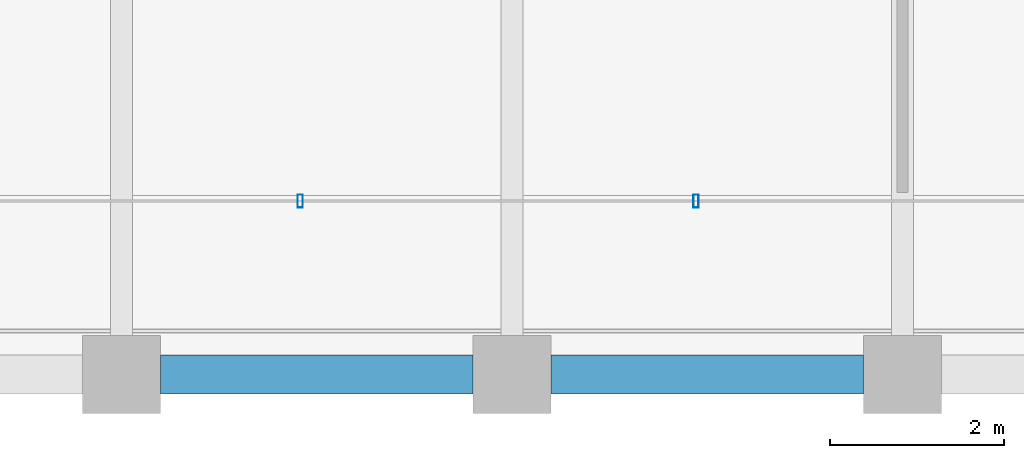
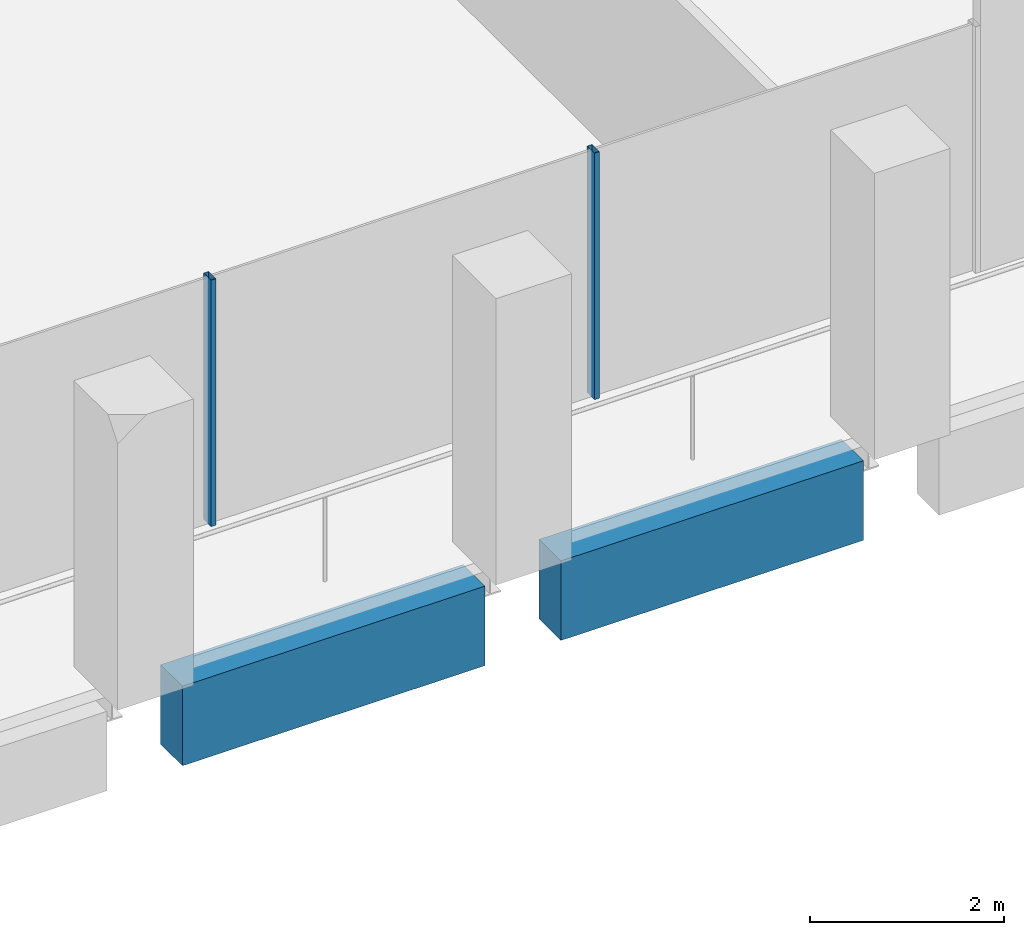
# One storey, part 3 of 40: 2 beams, 2 members, 1 element without a shape of its own.
"""IFC4 building model written with IfcOpenShell, lengths in metres."""

from ifc_helpers import new_model, si_unit, direction, frame, origin, origin_2d, place, context, subcontext, project, spatial, rectangle, hollow_rectangle, extrude, material, material_profile, profile_set, type_object, element, aggregate, save


model = new_model("IFC4")

# Units and contexts
model_context = context("Model", 3, precision=1e-05, world=origin(), true_north=direction((0.0, 1.0)))
body_context = subcontext(model_context, "Body", "Model", "MODEL_VIEW")
ifc_project = project(units=[si_unit("LENGTHUNIT", "METRE"), si_unit("AREAUNIT", "SQUARE_METRE"), si_unit("VOLUMEUNIT", "CUBIC_METRE"), si_unit("PLANEANGLEUNIT", "RADIAN"), si_unit("MASSUNIT", "GRAM", prefix="KILO")], contexts=[model_context])

# Site, building, storey
site_placement = place(None, origin())
site = spatial("IfcSite", under=ifc_project, at=site_placement, CompositionType="ELEMENT")
building_placement = place(site_placement, origin())
building = spatial("IfcBuilding", under=site, at=building_placement, Name="Altepetl Exchange Towers", CompositionType="ELEMENT")
storey_placement = place(building_placement, frame((0.0, 0.0, 158.199951171875)))
storey = spatial("IfcBuildingStorey", under=building, at=storey_placement, Name="L39", CompositionType="ELEMENT", Elevation=158.199951171875)

# Curtain wall, members
ifc_material_1 = material(Name="Aluminium 6063-T6 glazing", Category="aluminium")
curtain_wall_type = type_object("IfcCurtainWallType", Name="Loggia glazing system", PredefinedType="NOTDEFINED", material=ifc_material_1)
curtain_wall_placement = place(storey_placement, origin())
curtain_wall = element("IfcCurtainWall", 1, at=curtain_wall_placement, inside=storey, type_object=curtain_wall_type, Name="CW1 run", PredefinedType="NOTDEFINED")
ifc_material_2 = material(Name="Aluminium 6063-T6", Category="aluminium")
ifc_material_profile_1 = material_profile(ifc_material_2, hollow_rectangle(XDim=0.06005859375, YDim=0.14990234375, WallThickness=0.0029296875, at=origin_2d()), Name="Mullion 60x150 aluminium")
ifc_profile_set_1 = profile_set([ifc_material_profile_1], Name="Aluminium 6063-T6")
member_type = type_object("IfcMemberType", Name="Mullion 60x150 aluminium", PredefinedType="MULLION", material=ifc_profile_set_1)
member_1_placement = place(storey_placement, frame((38.060791015625, 29.0, 0.0)))
member_1 = element("IfcMember", 2, at=member_1_placement, type_object=member_type, Name="MU1 mullion", PredefinedType="MULLION", context=body_context, shape_type="SweptSolid", body=[
    extrude(hollow_rectangle(XDim=0.06005859375, YDim=0.14990234375, WallThickness=0.0029296875, at=origin_2d()), origin(), (0.0, 0.0, 1.0), 3.10009765625),
])
member_2_placement = place(storey_placement, frame((42.621337890625, 29.0, 0.0)))
member_2 = element("IfcMember", 3, at=member_2_placement, type_object=member_type, Name="MU1 mullion", PredefinedType="MULLION", context=body_context, shape_type="SweptSolid", body=[
    extrude(hollow_rectangle(XDim=0.06005859375, YDim=0.14990234375, WallThickness=0.0029296875, at=origin_2d()), origin(), (0.0, 0.0, 1.0), 3.10009765625),
])
aggregate(curtain_wall, [member_1, member_2])

# Beams
ifc_material_3 = material(Name="Concrete C50/60 precast with cantera blanca facing", Category="concrete")
ifc_material_profile_2 = material_profile(ifc_material_3, rectangle(XDim=0.449951171875, YDim=1.0, at=origin_2d()), Name="450 x 1000")
ifc_profile_set_2 = profile_set([ifc_material_profile_2], Name="Concrete C50/60 precast with cantera blanca facing")
beam_type = type_object("IfcBeamType", Name="Spandrel beam 450x1000 cantera blanca", PredefinedType="SPANDREL", material=ifc_profile_set_2)
for number, where, z_axis, x_axis, name in (
    (4, (36.449951171875, 27.0, -0.64990234375), (1.0, 0.0, 0.0), (0.0, 1.0, 0.0), "sp:A:L39:001"),
    (5, (40.949951171875, 27.0, -0.64990234375), (1.0, 0.0, 0.0), (0.0, 1.0, 0.0), "sp:A:L39:002"),
):
    element("IfcBeam", number, at=place(storey_placement, frame(where, z_axis=z_axis, x_axis=x_axis)), inside=storey, type_object=beam_type, Name=name, PredefinedType="SPANDREL", context=body_context, shape_type="SweptSolid", body=[
        extrude(rectangle(XDim=0.449951171875, YDim=1.0, at=origin_2d()), origin(), (0.0, 0.0, 1.0), 3.60009765625),
    ])

save(model, "model.ifc")
